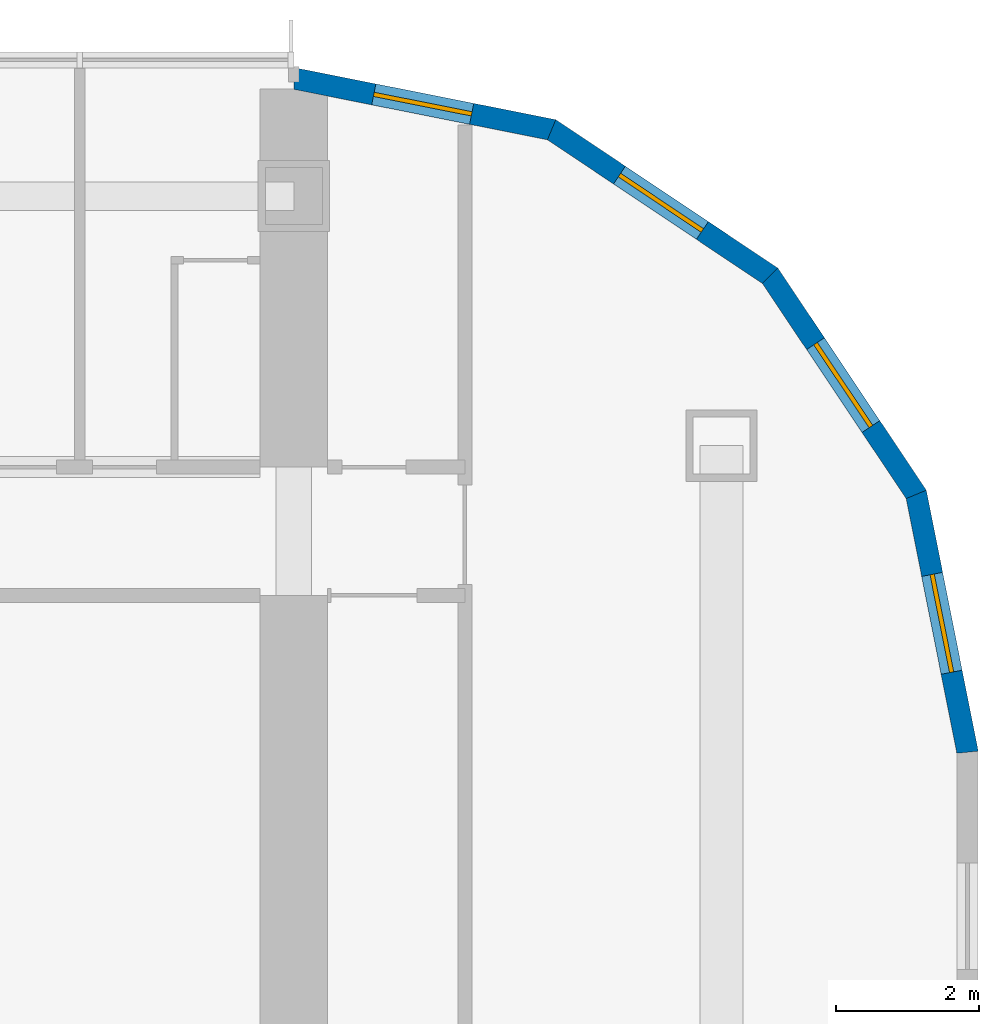
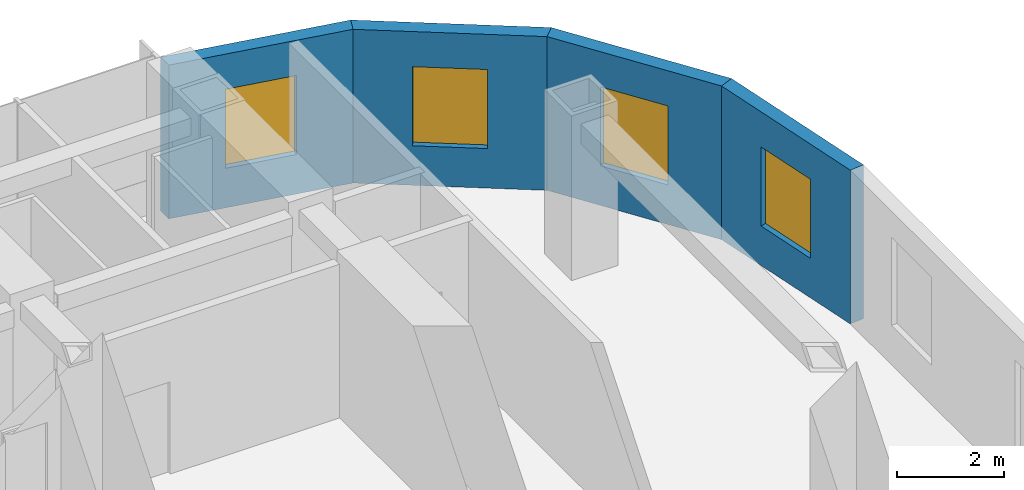
# One storey, part 16 of 21: 4 walls, 4 windows, 4 openings.
"""IFC4 building model written with IfcOpenShell, lengths in metres."""

from ifc_helpers import new_model, si_unit, direction, frame, frame_2d, origin, place, context, subcontext, project, spatial, polyline, rectangle, outline, extrude, material, layer, layer_set, type_object, element, fill, save


model = new_model("IFC4")

# Units and contexts
model_context = context("Model", 3, precision=1e-05, world=origin(), true_north=direction((0.0, 1.0)))
body_context = subcontext(model_context, "Body", "Model", "MODEL_VIEW")
ifc_project = project(units=[si_unit("LENGTHUNIT", "METRE"), si_unit("AREAUNIT", "SQUARE_METRE"), si_unit("VOLUMEUNIT", "CUBIC_METRE"), si_unit("PLANEANGLEUNIT", "RADIAN"), si_unit("MASSUNIT", "GRAM", prefix="KILO")], contexts=[model_context])

# Site, building, storey
site_placement = place(None, origin())
site = spatial("IfcSite", under=ifc_project, at=site_placement, CompositionType="ELEMENT")
building_placement = place(site_placement, origin())
building = spatial("IfcBuilding", under=site, at=building_placement, Name="Orbita Commons", CompositionType="ELEMENT")
storey_placement = place(building_placement, frame((0.0, 0.0, 103.14990234375)))
storey = spatial("IfcBuildingStorey", under=building, at=storey_placement, Name="L25", CompositionType="ELEMENT", Elevation=103.14990234375)

# Wall, opening, window
ifc_material_1 = material(Name="Precast concrete C40/50, white board-marked finish", Category="concrete")
ifc_layer = layer(ifc_material_1, 0.300048828125)
ifc_layer_set = layer_set([ifc_layer], Name="Precast concrete C40/50, white board-marked finish")
wall_type = type_object("IfcWallType", Name="Precast concrete end shield 300", PredefinedType="SOLIDWALL", material=ifc_layer_set)
wall_1_placement = place(storey_placement, frame((75.449951171875, 45.800048828125, 0.0), z_axis=(0.0, 0.0, 1.0), x_axis=(-0.195059183267, 0.980791473772, 0.0)))
wall_1 = element("IfcWall", 1, at=wall_1_placement, inside=storey, type_object=wall_type, Name="End shield NE chord 1 L25", PredefinedType="SOLIDWALL", context=body_context, shape_type="SweptSolid", body=[
    extrude(outline(polyline([(-0.014892578125, -0.14990234375), (3.717041015625, -0.14990234375), (3.657470703125, 0.14990234375), (0.014892578125, 0.14990234375), (-0.014892578125, -0.14990234375)])), origin(), (0.0, 0.0, 1.0), 3.5),
])
opening_1_placement = place(wall_1_placement, frame((1.1435546875, 0.0, 0.89990234375)))
opening_1 = element("IfcOpeningElement", 2, at=opening_1_placement, cuts=wall_1, Name="Opening W02", PredefinedType="OPENING", context=body_context, shape_type="SweptSolid", body=[
    extrude(rectangle(XDim=1.39990234375, YDim=1.800048828125, at=frame_2d((0.699951171875, 0.89990234375))), frame((0.0, 0.159912109375, 0.0), z_axis=(0.0, -1.0, 0.0), x_axis=(1.0, 0.0, 0.0)), (0.0, 0.0, 1.0), 0.320068359375),
])
ifc_material_2 = material(Name="Aluminium frame, clear double glazing", Category="aluminium")
window_type = type_object("IfcWindowType", Name="Deep-set window 1400x1800", PartitioningType="SINGLE_PANEL", PredefinedType="WINDOW", material=ifc_material_2)
window_1_placement = place(opening_1_placement, origin())
window_1 = element("IfcWindow", 3, at=window_1_placement, inside=storey, type_object=window_type, Name="Window L25-NE0", OverallHeight=1.800048828125, OverallWidth=1.39990234375, PartitioningType="SINGLE_PANEL", PredefinedType="WINDOW", context=body_context, shape_type="SweptSolid", body=[
    extrude(rectangle(XDim=1.39990234375, YDim=1.800048828125, at=frame_2d((0.699951171875, 0.89990234375))), frame((0.0, 0.030029296875, 0.0), z_axis=(0.0, -1.0, 0.0), x_axis=(1.0, 0.0, 0.0)), (0.0, 0.0, 1.0), 0.06005859375),
])
fill(opening_1, window_1)

wall_2_placement = place(storey_placement, frame((74.730712890625, 49.41650390625, 0.0), z_axis=(0.0, 0.0, 1.0), x_axis=(-0.555601399253, 0.831448786846, 0.0)))
wall_2 = element("IfcWall", 4, at=wall_2_placement, inside=storey, type_object=wall_type, Name="End shield NE chord 2 L25", PredefinedType="SOLIDWALL", context=body_context, shape_type="SweptSolid", body=[
    extrude(outline(polyline([(-0.02978515625, -0.14990234375), (3.717041015625, -0.14990234375), (3.657470703125, 0.14990234375), (0.02978515625, 0.14990234375), (-0.02978515625, -0.14990234375)])), origin(), (0.0, 0.0, 1.0), 3.5),
])
opening_2_placement = place(wall_2_placement, frame((1.1435546875, 0.0, 0.89990234375)))
opening_2 = element("IfcOpeningElement", 5, at=opening_2_placement, cuts=wall_2, Name="Opening W02", PredefinedType="OPENING", context=body_context, shape_type="SweptSolid", body=[
    extrude(rectangle(XDim=1.39990234375, YDim=1.800048828125, at=frame_2d((0.699951171875, 0.89990234375))), frame((0.0, 0.159912109375, 0.0), z_axis=(0.0, -1.0, 0.0), x_axis=(1.0, 0.0, 0.0)), (0.0, 0.0, 1.0), 0.320068359375),
])
window_2_placement = place(opening_2_placement, origin())
window_2 = element("IfcWindow", 6, at=window_2_placement, inside=storey, type_object=window_type, Name="Window L25-NE1", OverallHeight=1.800048828125, OverallWidth=1.39990234375, PartitioningType="SINGLE_PANEL", PredefinedType="WINDOW", context=body_context, shape_type="SweptSolid", body=[
    extrude(rectangle(XDim=1.39990234375, YDim=1.800048828125, at=frame_2d((0.699951171875, 0.89990234375))), frame((0.0, 0.030029296875, 0.0), z_axis=(0.0, -1.0, 0.0), x_axis=(1.0, 0.0, 0.0)), (0.0, 0.0, 1.0), 0.06005859375),
])
fill(opening_2, window_2)

wall_3_placement = place(storey_placement, frame((72.68212890625, 52.482177734375, 0.0), z_axis=(0.0, 0.0, 1.0), x_axis=(-0.831448786846, 0.555601399253, 0.0)))
wall_3 = element("IfcWall", 7, at=wall_3_placement, inside=storey, type_object=wall_type, Name="End shield NE chord 3 L25", PredefinedType="SOLIDWALL", context=body_context, shape_type="SweptSolid", body=[
    extrude(outline(polyline([(-0.02978515625, -0.14990234375), (3.717041015625, -0.14990234375), (3.657470703125, 0.14990234375), (0.02978515625, 0.14990234375), (-0.02978515625, -0.14990234375)])), origin(), (0.0, 0.0, 1.0), 3.5),
])
opening_3_placement = place(wall_3_placement, frame((1.1435546875, 0.0, 0.89990234375)))
opening_3 = element("IfcOpeningElement", 8, at=opening_3_placement, cuts=wall_3, Name="Opening W02", PredefinedType="OPENING", context=body_context, shape_type="SweptSolid", body=[
    extrude(rectangle(XDim=1.39990234375, YDim=1.800048828125, at=frame_2d((0.699951171875, 0.89990234375))), frame((0.0, 0.159912109375, 0.0), z_axis=(0.0, -1.0, 0.0), x_axis=(1.0, 0.0, 0.0)), (0.0, 0.0, 1.0), 0.320068359375),
])
window_3_placement = place(opening_3_placement, origin())
window_3 = element("IfcWindow", 9, at=window_3_placement, inside=storey, type_object=window_type, Name="Window L25-NE2", OverallHeight=1.800048828125, OverallWidth=1.39990234375, PartitioningType="SINGLE_PANEL", PredefinedType="WINDOW", context=body_context, shape_type="SweptSolid", body=[
    extrude(rectangle(XDim=1.39990234375, YDim=1.800048828125, at=frame_2d((0.699951171875, 0.89990234375))), frame((0.0, 0.030029296875, 0.0), z_axis=(0.0, -1.0, 0.0), x_axis=(1.0, 0.0, 0.0)), (0.0, 0.0, 1.0), 0.06005859375),
])
fill(opening_3, window_3)

wall_4_placement = place(storey_placement, frame((69.616455078125, 54.53076171875, 0.0), z_axis=(0.0, 0.0, 1.0), x_axis=(-0.980791473772, 0.195059183267, 0.0)))
wall_4 = element("IfcWall", 10, at=wall_4_placement, inside=storey, type_object=wall_type, Name="End shield NE chord 4 L25", PredefinedType="SOLIDWALL", context=body_context, shape_type="SweptSolid", body=[
    extrude(outline(polyline([(-0.02978515625, -0.14990234375), (3.717041015625, -0.14990234375), (3.657470703125, 0.14990234375), (0.02978515625, 0.14990234375), (-0.02978515625, -0.14990234375)])), origin(), (0.0, 0.0, 1.0), 3.5),
])
opening_4_placement = place(wall_4_placement, frame((1.1435546875, 0.0, 0.89990234375)))
opening_4 = element("IfcOpeningElement", 11, at=opening_4_placement, cuts=wall_4, Name="Opening W02", PredefinedType="OPENING", context=body_context, shape_type="SweptSolid", body=[
    extrude(rectangle(XDim=1.39990234375, YDim=1.800048828125, at=frame_2d((0.699951171875, 0.89990234375))), frame((0.0, 0.159912109375, 0.0), z_axis=(0.0, -1.0, 0.0), x_axis=(1.0, 0.0, 0.0)), (0.0, 0.0, 1.0), 0.320068359375),
])
window_4_placement = place(opening_4_placement, origin())
window_4 = element("IfcWindow", 12, at=window_4_placement, inside=storey, type_object=window_type, Name="Window L25-NE3", OverallHeight=1.800048828125, OverallWidth=1.39990234375, PartitioningType="SINGLE_PANEL", PredefinedType="WINDOW", context=body_context, shape_type="SweptSolid", body=[
    extrude(rectangle(XDim=1.39990234375, YDim=1.800048828125, at=frame_2d((0.699951171875, 0.89990234375))), frame((0.0, 0.030029296875, 0.0), z_axis=(0.0, -1.0, 0.0), x_axis=(1.0, 0.0, 0.0)), (0.0, 0.0, 1.0), 0.06005859375),
])
fill(opening_4, window_4)

save(model, "model.ifc")
